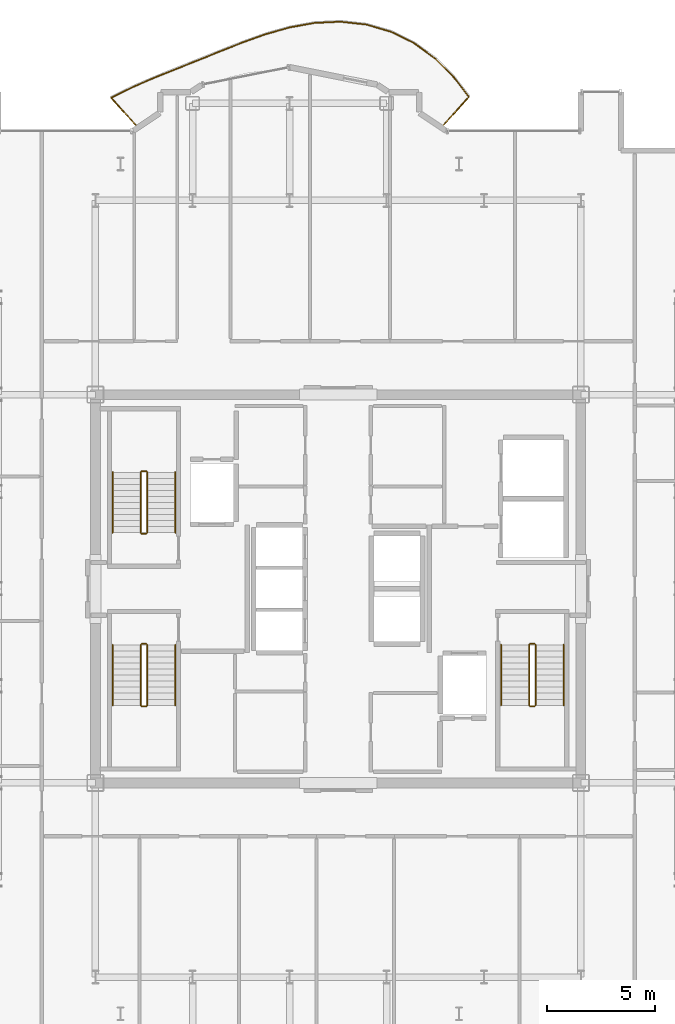
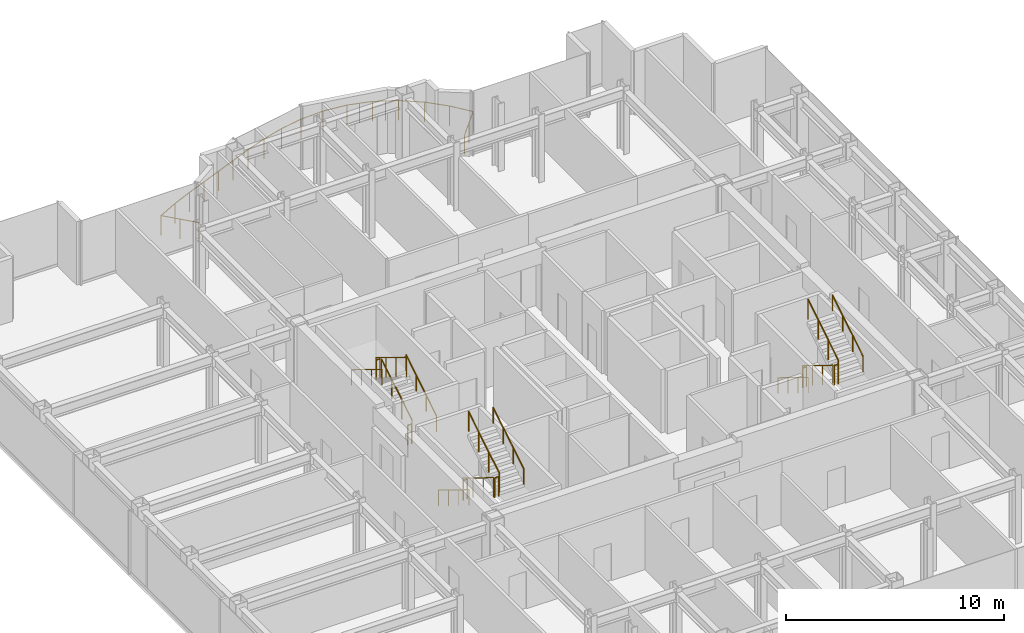
# One storey, part 18 of 18: 19 railings.
"""IFC4 building model written with IfcOpenShell, lengths in metres."""

from ifc_helpers import new_model, si_unit, direction, frame, origin, origin_2d, place, context, subcontext, project, spatial, circle, extrude, material, type_object, element, save


model = new_model("IFC4")

# Units and contexts
model_context = context("Model", 3, precision=1e-05, world=origin(), true_north=direction((0.0, 1.0)))
body_context = subcontext(model_context, "Body", "Model", "MODEL_VIEW")
ifc_project = project(units=[si_unit("LENGTHUNIT", "METRE"), si_unit("AREAUNIT", "SQUARE_METRE"), si_unit("VOLUMEUNIT", "CUBIC_METRE"), si_unit("PLANEANGLEUNIT", "RADIAN"), si_unit("MASSUNIT", "GRAM", prefix="KILO")], contexts=[model_context])

# Site, building, storey
site_placement = place(None, origin())
site = spatial("IfcSite", under=ifc_project, at=site_placement, CompositionType="ELEMENT")
building_placement = place(site_placement, origin())
building = spatial("IfcBuilding", under=site, at=building_placement, Name="Nefas-Gora Pilgrimage Tower", CompositionType="ELEMENT")
storey_placement = place(building_placement, frame((0.0, 0.0, 268.39990234375)))
storey = spatial("IfcBuildingStorey", under=building, at=storey_placement, Name="L67", CompositionType="ELEMENT", Elevation=268.39990234375)

# Railings
ifc_material_1 = material(Name="Laminated safety glass and stainless steel", Category="steel")
railing_type_1 = type_object("IfcRailingType", Name="RLG-BAL-1100", PredefinedType="BALUSTRADE", material=ifc_material_1)
railing_1_placement = place(storey_placement, frame((4.802490234375, 21.402587890625, 0.0)))
element("IfcRailing", 1, at=railing_1_placement, inside=storey, type_object=railing_type_1, Name="L67 Wave Balcony Balustrade N1", PredefinedType="BALUSTRADE", context=body_context, shape_type="SweptSolid", body=[
    extrude(circle(Radius=0.02392578125, at=origin_2d()), frame((0.0, 0.0, 1.09619140625), z_axis=(0.669129721026, 0.743145622634, 0.0), x_axis=(-0.743145622634, 0.669129721026, 0.0)), (0.0, 0.0, 1.0), 1.880126953125),
    extrude(circle(Radius=0.02392578125, at=origin_2d()), frame((1.258056640625, 1.397216796875, 1.09619140625), z_axis=(-0.611200063939, 0.791476141044, 0.0), x_axis=(-0.791476141044, -0.611200063939, 0.0)), (0.0, 0.0, 1.0), 1.179443359375),
    extrude(circle(Radius=0.02392578125, at=origin_2d()), frame((0.537109375, 2.330810546875, 1.09619140625), z_axis=(-0.707209030738, 0.707004516848, 0.0), x_axis=(-0.707004516848, -0.707209030738, 0.0)), (0.0, 0.0, 1.0), 1.19384765625),
    extrude(circle(Radius=0.02392578125, at=origin_2d()), frame((-0.30712890625, 3.1748046875, 1.09619140625), z_axis=(-0.807148617314, 0.590348295135, 0.0), x_axis=(-0.590348295135, -0.807148617314, 0.0)), (0.0, 0.0, 1.0), 1.19921875),
    extrude(circle(Radius=0.02392578125, at=origin_2d()), frame((-1.275146484375, 3.8828125, 1.09619140625), z_axis=(-0.896048232133, 0.443956716011, 0.0), x_axis=(-0.443956716011, -0.896048232133, 0.0)), (0.0, 0.0, 1.0), 1.200439453125),
    extrude(circle(Radius=0.02392578125, at=origin_2d()), frame((-2.350830078125, 4.415771484375, 1.09619140625), z_axis=(-0.960465578019, 0.278398766951, 0.0), x_axis=(-0.278398766951, -0.960465578019, 0.0)), (0.0, 0.0, 1.0), 1.200439453125),
    extrude(circle(Radius=0.02392578125, at=origin_2d()), frame((-3.50390625, 4.75, 1.09619140625), z_axis=(-0.994009663553, 0.109292217307, 0.0), x_axis=(-0.109292217307, -0.994009663553, 0.0)), (0.0, 0.0, 1.0), 1.199462890625),
    extrude(circle(Radius=0.02392578125, at=origin_2d()), frame((-4.6962890625, 4.881103515625, 1.09619140625), z_axis=(-0.998903921138, -0.046807652535, 0.0), x_axis=(0.046807652535, -0.998903921138, 0.0)), (0.0, 0.0, 1.0), 1.1943359375),
    extrude(circle(Radius=0.02392578125, at=origin_2d()), frame((-5.889404296875, 4.8251953125, 1.09619140625), z_axis=(-0.984273970402, -0.176648665973, 0.0), x_axis=(0.176648665973, -0.984273970402, 0.0)), (0.0, 0.0, 1.0), 1.181640625),
    extrude(circle(Radius=0.02392578125, at=origin_2d()), frame((-7.052490234375, 4.616455078125, 1.09619140625), z_axis=(-0.961722400744, -0.274025589875, 0.0), x_axis=(0.274025589875, -0.961722400744, 0.0)), (0.0, 0.0, 1.0), 1.1591796875),
    extrude(circle(Radius=0.02392578125, at=origin_2d()), frame((-8.167236328125, 4.298828125, 1.09619140625), z_axis=(-0.941629347278, -0.336651410726, 0.0), x_axis=(0.336651410726, -0.941629347278, 0.0)), (0.0, 0.0, 1.0), 1.129150390625),
    extrude(circle(Radius=0.02392578125, at=origin_2d()), frame((-9.23046875, 3.918701171875, 1.09619140625), z_axis=(-0.929909498538, -0.367788423592, 0.0), x_axis=(0.367788423592, -0.929909498538, 0.0)), (0.0, 0.0, 1.0), 1.099365234375),
    extrude(circle(Radius=0.02392578125, at=origin_2d()), frame((-10.252685546875, 3.514404296875, 1.09619140625), z_axis=(-0.927160236692, -0.374665044403, 0.0), x_axis=(0.374665044403, -0.927160236692, 0.0)), (0.0, 0.0, 1.0), 1.0791015625),
    extrude(circle(Radius=0.02392578125, at=origin_2d()), frame((-11.253173828125, 3.110107421875, 1.09619140625), z_axis=(-0.928883068163, -0.370373116844, 0.0), x_axis=(0.370373116844, -0.928883068163, 0.0)), (0.0, 0.0, 1.0), 1.07568359375),
    extrude(circle(Radius=0.02392578125, at=origin_2d()), frame((-12.25244140625, 2.711669921875, 1.09619140625), z_axis=(-0.928183190328, -0.372123588601, 0.0), x_axis=(0.372123588601, -0.928183190328, 0.0)), (0.0, 0.0, 1.0), 1.091064453125),
    extrude(circle(Radius=0.02392578125, at=origin_2d()), frame((-13.26513671875, 2.3056640625, 1.09619140625), z_axis=(-0.919111174096, -0.393998286356, 0.0), x_axis=(0.393998286356, -0.919111174096, 0.0)), (0.0, 0.0, 1.0), 1.119140625),
    extrude(circle(Radius=0.02392578125, at=origin_2d()), frame((-14.293701171875, 1.86474609375, 1.09619140625), z_axis=(-0.895992473093, -0.444069238026, 0.0), x_axis=(0.444069238026, -0.895992473093, 0.0)), (0.0, 0.0, 1.0), 1.150146484375),
    extrude(circle(Radius=0.02392578125, at=origin_2d()), frame((-15.32421875, 1.35400390625, 1.09619140625), z_axis=(0.669157184217, -0.743120893806, 0.0), x_axis=(0.743120893806, 0.669157184217, 0.0)), (0.0, 0.0, 1.0), 1.822021484375),
    extrude(circle(Radius=0.02099609375, at=origin_2d()), origin(), (0.0, 0.0, 1.0), 1.072021484375),
    extrude(circle(Radius=0.02099609375, at=origin_2d()), frame((0.62890625, 0.69873046875, 0.0)), (0.0, 0.0, 1.0), 1.072021484375),
    extrude(circle(Radius=0.02099609375, at=origin_2d()), frame((1.258056640625, 1.397216796875, 0.0)), (0.0, 0.0, 1.0), 1.072021484375),
    extrude(circle(Radius=0.02099609375, at=origin_2d()), frame((0.537109375, 2.330810546875, 0.0)), (0.0, 0.0, 1.0), 1.072021484375),
    extrude(circle(Radius=0.02099609375, at=origin_2d()), frame((-0.30712890625, 3.1748046875, 0.0)), (0.0, 0.0, 1.0), 1.072021484375),
    extrude(circle(Radius=0.02099609375, at=origin_2d()), frame((-1.275146484375, 3.8828125, 0.0)), (0.0, 0.0, 1.0), 1.072021484375),
    extrude(circle(Radius=0.02099609375, at=origin_2d()), frame((-1.81298828125, 4.1494140625, 0.0)), (0.0, 0.0, 1.0), 1.072021484375),
    extrude(circle(Radius=0.02099609375, at=origin_2d()), frame((-2.350830078125, 4.415771484375, 0.0)), (0.0, 0.0, 1.0), 1.072021484375),
    extrude(circle(Radius=0.02099609375, at=origin_2d()), frame((-2.92724609375, 4.5830078125, 0.0)), (0.0, 0.0, 1.0), 1.072021484375),
    extrude(circle(Radius=0.02099609375, at=origin_2d()), frame((-3.50390625, 4.75, 0.0)), (0.0, 0.0, 1.0), 1.072021484375),
    extrude(circle(Radius=0.02099609375, at=origin_2d()), frame((-4.6962890625, 4.881103515625, 0.0)), (0.0, 0.0, 1.0), 1.072021484375),
    extrude(circle(Radius=0.02099609375, at=origin_2d()), frame((-5.889404296875, 4.8251953125, 0.0)), (0.0, 0.0, 1.0), 1.072021484375),
    extrude(circle(Radius=0.02099609375, at=origin_2d()), frame((-7.052490234375, 4.616455078125, 0.0)), (0.0, 0.0, 1.0), 1.072021484375),
    extrude(circle(Radius=0.02099609375, at=origin_2d()), frame((-8.167236328125, 4.298828125, 0.0)), (0.0, 0.0, 1.0), 1.072021484375),
    extrude(circle(Radius=0.02099609375, at=origin_2d()), frame((-9.23046875, 3.918701171875, 0.0)), (0.0, 0.0, 1.0), 1.072021484375),
    extrude(circle(Radius=0.02099609375, at=origin_2d()), frame((-10.252685546875, 3.514404296875, 0.0)), (0.0, 0.0, 1.0), 1.072021484375),
    extrude(circle(Radius=0.02099609375, at=origin_2d()), frame((-11.253173828125, 3.110107421875, 0.0)), (0.0, 0.0, 1.0), 1.072021484375),
    extrude(circle(Radius=0.02099609375, at=origin_2d()), frame((-12.25244140625, 2.711669921875, 0.0)), (0.0, 0.0, 1.0), 1.072021484375),
    extrude(circle(Radius=0.02099609375, at=origin_2d()), frame((-13.26513671875, 2.3056640625, 0.0)), (0.0, 0.0, 1.0), 1.072021484375),
    extrude(circle(Radius=0.02099609375, at=origin_2d()), frame((-14.293701171875, 1.86474609375, 0.0)), (0.0, 0.0, 1.0), 1.072021484375),
    extrude(circle(Radius=0.02099609375, at=origin_2d()), frame((-15.32421875, 1.35400390625, 0.0)), (0.0, 0.0, 1.0), 1.072021484375),
    extrude(circle(Radius=0.02099609375, at=origin_2d()), frame((-14.714599609375, 0.677001953125, 0.0)), (0.0, 0.0, 1.0), 1.072021484375),
    extrude(circle(Radius=0.02099609375, at=origin_2d()), frame((-14.10498046875, 0.0, 0.0)), (0.0, 0.0, 1.0), 1.072021484375),
])
ifc_material_2 = material(Name="Painted galvanised steel", Category="steel")
railing_type_2 = type_object("IfcRailingType", Name="RLG-STR-GUARD-1100", PredefinedType="GUARDRAIL", material=ifc_material_2)
railing_2_placement = place(storey_placement, frame((-8.85009765625, 2.60009765625, 0.1728515625)))
element("IfcRailing", 2, at=railing_2_placement, inside=storey, type_object=railing_type_2, Name="L67 ST-01 stair guard 1", PredefinedType="GUARDRAIL", context=body_context, shape_type="SweptSolid", body=[
    extrude(circle(Radius=0.02392578125, at=origin_2d()), frame((0.0, 0.0, 1.09619140625), z_axis=(0.0, 0.851069175582, 0.525053576669), x_axis=(-1.0, 0.0, 0.0)), (0.0, 0.0, 1.0), 3.289794921875),
    extrude(circle(Radius=0.02099609375, at=origin_2d()), origin(), (0.0, 0.0, 1.0), 1.072021484375),
    extrude(circle(Radius=0.02099609375, at=origin_2d()), frame((0.0, 0.933349609375, 0.57568359375)), (0.0, 0.0, 1.0), 1.072021484375),
    extrude(circle(Radius=0.02099609375, at=origin_2d()), frame((0.0, 1.866455078125, 1.151611328125)), (0.0, 0.0, 1.0), 1.072021484375),
    extrude(circle(Radius=0.02099609375, at=origin_2d()), frame((0.0, 2.7998046875, 1.727294921875)), (0.0, 0.0, 1.0), 1.072021484375),
])
railing_3_placement = place(storey_placement, frame((-8.89990234375, 5.449951171875, 1.900146484375)))
element("IfcRailing", 3, at=railing_3_placement, inside=storey, type_object=railing_type_2, Name="L67 ST-01 stair guard 2", PredefinedType="GUARDRAIL", context=body_context, shape_type="SweptSolid", body=[
    extrude(circle(Radius=0.02392578125, at=origin_2d()), frame((0.0, 0.0, 1.09619140625), z_axis=(-1.0, 0.0, 0.0), x_axis=(0.0, -1.0, 0.0)), (0.0, 0.0, 1.0), 0.2001953125),
    extrude(circle(Radius=0.02099609375, at=origin_2d()), origin(), (0.0, 0.0, 1.0), 1.072021484375),
    extrude(circle(Radius=0.02099609375, at=origin_2d()), frame((-0.2001953125, 0.0, 0.0)), (0.0, 0.0, 1.0), 1.072021484375),
])
railing_4_placement = place(storey_placement, frame((-9.14990234375, 5.39990234375, 2.07275390625)))
element("IfcRailing", 4, at=railing_4_placement, inside=storey, type_object=railing_type_2, Name="L67 ST-01 stair guard 3", PredefinedType="GUARDRAIL", context=body_context, shape_type="SweptSolid", body=[
    extrude(circle(Radius=0.02392578125, at=origin_2d()), frame((0.0, 0.0, 1.09619140625), z_axis=(0.0, -0.851069175582, 0.525053576669), x_axis=(1.0, 0.0, 0.0)), (0.0, 0.0, 1.0), 3.289794921875),
    extrude(circle(Radius=0.02099609375, at=origin_2d()), origin(), (0.0, 0.0, 1.0), 1.072021484375),
    extrude(circle(Radius=0.02099609375, at=origin_2d()), frame((0.0, -0.933349609375, 0.57568359375)), (0.0, 0.0, 1.0), 1.072021484375),
    extrude(circle(Radius=0.02099609375, at=origin_2d()), frame((0.0, -1.866455078125, 1.151611328125)), (0.0, 0.0, 1.0), 1.072021484375),
    extrude(circle(Radius=0.02099609375, at=origin_2d()), frame((0.0, -2.7998046875, 1.727294921875)), (0.0, 0.0, 1.0), 1.072021484375),
])
railing_5_placement = place(storey_placement, frame((-8.89990234375, 2.550048828125, 0.0)))
element("IfcRailing", 5, at=railing_5_placement, inside=storey, type_object=railing_type_2, Name="L67 ST-01 stair guard 4", PredefinedType="GUARDRAIL", context=body_context, shape_type="SweptSolid", body=[
    extrude(circle(Radius=0.02392578125, at=origin_2d()), frame((0.0, 0.0, 1.09619140625), z_axis=(-1.0, 0.0, 0.0), x_axis=(0.0, -1.0, 0.0)), (0.0, 0.0, 1.0), 0.2001953125),
    extrude(circle(Radius=0.02099609375, at=origin_2d()), origin(), (0.0, 0.0, 1.0), 1.072021484375),
    extrude(circle(Radius=0.02099609375, at=origin_2d()), frame((-0.2001953125, 0.0, 0.0)), (0.0, 0.0, 1.0), 1.072021484375),
])
railing_6_placement = place(storey_placement, frame((8.85009765625, -2.60009765625, 0.1728515625)))
element("IfcRailing", 6, at=railing_6_placement, inside=storey, type_object=railing_type_2, Name="L67 ST-02 stair guard 1", PredefinedType="GUARDRAIL", context=body_context, shape_type="SweptSolid", body=[
    extrude(circle(Radius=0.02392578125, at=origin_2d()), frame((0.0, 0.0, 1.09619140625), z_axis=(0.0, -0.851069175582, 0.525053576669), x_axis=(1.0, 0.0, 0.0)), (0.0, 0.0, 1.0), 3.289794921875),
    extrude(circle(Radius=0.02099609375, at=origin_2d()), origin(), (0.0, 0.0, 1.0), 1.072021484375),
    extrude(circle(Radius=0.02099609375, at=origin_2d()), frame((0.0, -0.933349609375, 0.57568359375)), (0.0, 0.0, 1.0), 1.072021484375),
    extrude(circle(Radius=0.02099609375, at=origin_2d()), frame((0.0, -1.866455078125, 1.151611328125)), (0.0, 0.0, 1.0), 1.072021484375),
    extrude(circle(Radius=0.02099609375, at=origin_2d()), frame((0.0, -2.7998046875, 1.727294921875)), (0.0, 0.0, 1.0), 1.072021484375),
])
railing_7_placement = place(storey_placement, frame((8.89990234375, -5.449951171875, 1.900146484375)))
element("IfcRailing", 7, at=railing_7_placement, inside=storey, type_object=railing_type_2, Name="L67 ST-02 stair guard 2", PredefinedType="GUARDRAIL", context=body_context, shape_type="SweptSolid", body=[
    extrude(circle(Radius=0.02392578125, at=origin_2d()), frame((0.0, 0.0, 1.09619140625), z_axis=(1.0, 0.0, 0.0), x_axis=(0.0, 1.0, 0.0)), (0.0, 0.0, 1.0), 0.2001953125),
    extrude(circle(Radius=0.02099609375, at=origin_2d()), origin(), (0.0, 0.0, 1.0), 1.072021484375),
    extrude(circle(Radius=0.02099609375, at=origin_2d()), frame((0.2001953125, 0.0, 0.0)), (0.0, 0.0, 1.0), 1.072021484375),
])
railing_8_placement = place(storey_placement, frame((9.14990234375, -5.39990234375, 2.07275390625)))
element("IfcRailing", 8, at=railing_8_placement, inside=storey, type_object=railing_type_2, Name="L67 ST-02 stair guard 3", PredefinedType="GUARDRAIL", context=body_context, shape_type="SweptSolid", body=[
    extrude(circle(Radius=0.02392578125, at=origin_2d()), frame((0.0, 0.0, 1.09619140625), z_axis=(0.0, 0.851069175582, 0.525053576669), x_axis=(-1.0, 0.0, 0.0)), (0.0, 0.0, 1.0), 3.289794921875),
    extrude(circle(Radius=0.02099609375, at=origin_2d()), origin(), (0.0, 0.0, 1.0), 1.072021484375),
    extrude(circle(Radius=0.02099609375, at=origin_2d()), frame((0.0, 0.933349609375, 0.57568359375)), (0.0, 0.0, 1.0), 1.072021484375),
    extrude(circle(Radius=0.02099609375, at=origin_2d()), frame((0.0, 1.866455078125, 1.151611328125)), (0.0, 0.0, 1.0), 1.072021484375),
    extrude(circle(Radius=0.02099609375, at=origin_2d()), frame((0.0, 2.7998046875, 1.727294921875)), (0.0, 0.0, 1.0), 1.072021484375),
])
railing_9_placement = place(storey_placement, frame((8.89990234375, -2.550048828125, 0.0)))
element("IfcRailing", 9, at=railing_9_placement, inside=storey, type_object=railing_type_2, Name="L67 ST-02 stair guard 4", PredefinedType="GUARDRAIL", context=body_context, shape_type="SweptSolid", body=[
    extrude(circle(Radius=0.02392578125, at=origin_2d()), frame((0.0, 0.0, 1.09619140625), z_axis=(1.0, 0.0, 0.0), x_axis=(0.0, 1.0, 0.0)), (0.0, 0.0, 1.0), 0.2001953125),
    extrude(circle(Radius=0.02099609375, at=origin_2d()), origin(), (0.0, 0.0, 1.0), 1.072021484375),
    extrude(circle(Radius=0.02099609375, at=origin_2d()), frame((0.2001953125, 0.0, 0.0)), (0.0, 0.0, 1.0), 1.072021484375),
])
railing_10_placement = place(storey_placement, frame((-9.14990234375, -2.60009765625, 0.1728515625)))
element("IfcRailing", 10, at=railing_10_placement, inside=storey, type_object=railing_type_2, Name="L67 ST-03 stair guard 1", PredefinedType="GUARDRAIL", context=body_context, shape_type="SweptSolid", body=[
    extrude(circle(Radius=0.02392578125, at=origin_2d()), frame((0.0, 0.0, 1.09619140625), z_axis=(0.0, -0.851069175582, 0.525053576669), x_axis=(1.0, 0.0, 0.0)), (0.0, 0.0, 1.0), 3.289794921875),
    extrude(circle(Radius=0.02099609375, at=origin_2d()), origin(), (0.0, 0.0, 1.0), 1.072021484375),
    extrude(circle(Radius=0.02099609375, at=origin_2d()), frame((0.0, -0.933349609375, 0.57568359375)), (0.0, 0.0, 1.0), 1.072021484375),
    extrude(circle(Radius=0.02099609375, at=origin_2d()), frame((0.0, -1.866455078125, 1.151611328125)), (0.0, 0.0, 1.0), 1.072021484375),
    extrude(circle(Radius=0.02099609375, at=origin_2d()), frame((0.0, -2.7998046875, 1.727294921875)), (0.0, 0.0, 1.0), 1.072021484375),
])
railing_11_placement = place(storey_placement, frame((-9.10009765625, -5.449951171875, 1.900146484375)))
element("IfcRailing", 11, at=railing_11_placement, inside=storey, type_object=railing_type_2, Name="L67 ST-03 stair guard 2", PredefinedType="GUARDRAIL", context=body_context, shape_type="SweptSolid", body=[
    extrude(circle(Radius=0.02392578125, at=origin_2d()), frame((0.0, 0.0, 1.09619140625), z_axis=(1.0, 0.0, 0.0), x_axis=(0.0, 1.0, 0.0)), (0.0, 0.0, 1.0), 0.2001953125),
    extrude(circle(Radius=0.02099609375, at=origin_2d()), origin(), (0.0, 0.0, 1.0), 1.072021484375),
    extrude(circle(Radius=0.02099609375, at=origin_2d()), frame((0.2001953125, 0.0, 0.0)), (0.0, 0.0, 1.0), 1.072021484375),
])
railing_12_placement = place(storey_placement, frame((-8.85009765625, -5.39990234375, 2.07275390625)))
element("IfcRailing", 12, at=railing_12_placement, inside=storey, type_object=railing_type_2, Name="L67 ST-03 stair guard 3", PredefinedType="GUARDRAIL", context=body_context, shape_type="SweptSolid", body=[
    extrude(circle(Radius=0.02392578125, at=origin_2d()), frame((0.0, 0.0, 1.09619140625), z_axis=(0.0, 0.851069175582, 0.525053576669), x_axis=(-1.0, 0.0, 0.0)), (0.0, 0.0, 1.0), 3.289794921875),
    extrude(circle(Radius=0.02099609375, at=origin_2d()), origin(), (0.0, 0.0, 1.0), 1.072021484375),
    extrude(circle(Radius=0.02099609375, at=origin_2d()), frame((0.0, 0.933349609375, 0.57568359375)), (0.0, 0.0, 1.0), 1.072021484375),
    extrude(circle(Radius=0.02099609375, at=origin_2d()), frame((0.0, 1.866455078125, 1.151611328125)), (0.0, 0.0, 1.0), 1.072021484375),
    extrude(circle(Radius=0.02099609375, at=origin_2d()), frame((0.0, 2.7998046875, 1.727294921875)), (0.0, 0.0, 1.0), 1.072021484375),
])
railing_13_placement = place(storey_placement, frame((-9.10009765625, -2.550048828125, 0.0)))
element("IfcRailing", 13, at=railing_13_placement, inside=storey, type_object=railing_type_2, Name="L67 ST-03 stair guard 4", PredefinedType="GUARDRAIL", context=body_context, shape_type="SweptSolid", body=[
    extrude(circle(Radius=0.02392578125, at=origin_2d()), frame((0.0, 0.0, 1.09619140625), z_axis=(1.0, 0.0, 0.0), x_axis=(0.0, 1.0, 0.0)), (0.0, 0.0, 1.0), 0.2001953125),
    extrude(circle(Radius=0.02099609375, at=origin_2d()), origin(), (0.0, 0.0, 1.0), 1.072021484375),
    extrude(circle(Radius=0.02099609375, at=origin_2d()), frame((0.2001953125, 0.0, 0.0)), (0.0, 0.0, 1.0), 1.072021484375),
])
ifc_material_3 = material(Name="Brushed stainless steel", Category="steel")
railing_type_3 = type_object("IfcRailingType", Name="RLG-STR-HAND-900", PredefinedType="HANDRAIL", material=ifc_material_3)
railing_14_placement = place(storey_placement, frame((-7.550048828125, 2.60009765625, 0.1728515625)))
element("IfcRailing", 14, at=railing_14_placement, inside=storey, type_object=railing_type_3, Name="L67 ST-01 stair handrail 1", PredefinedType="HANDRAIL", context=body_context, shape_type="SweptSolid", body=[
    extrude(circle(Radius=0.02392578125, at=origin_2d()), frame((0.0, 0.0, 0.8759765625), z_axis=(0.0, 0.851069175582, 0.525053576669), x_axis=(-1.0, 0.0, 0.0)), (0.0, 0.0, 1.0), 3.289794921875),
    extrude(circle(Radius=0.02099609375, at=origin_2d()), origin(), (0.0, 0.0, 1.0), 0.851806640625),
    extrude(circle(Radius=0.02099609375, at=origin_2d()), frame((0.0, 0.933349609375, 0.57568359375)), (0.0, 0.0, 1.0), 0.851806640625),
    extrude(circle(Radius=0.02099609375, at=origin_2d()), frame((0.0, 1.866455078125, 1.151611328125)), (0.0, 0.0, 1.0), 0.851806640625),
    extrude(circle(Radius=0.02099609375, at=origin_2d()), frame((0.0, 2.7998046875, 1.727294921875)), (0.0, 0.0, 1.0), 0.851806640625),
])
for number, where, name in (
    (15, (-10.449951171875, 5.39990234375, 2.07275390625), "L67 ST-01 stair handrail 2"),
    (16, (7.550048828125, -2.60009765625, 0.1728515625), "L67 ST-02 stair handrail 1"),
):
    element("IfcRailing", number, at=place(storey_placement, frame(where)), inside=storey, type_object=railing_type_3, Name=name, PredefinedType="HANDRAIL", context=body_context, shape_type="SweptSolid", body=[
        extrude(circle(Radius=0.02392578125, at=origin_2d()), frame((0.0, 0.0, 0.8759765625), z_axis=(0.0, -0.851069175582, 0.525053576669), x_axis=(1.0, 0.0, 0.0)), (0.0, 0.0, 1.0), 3.289794921875),
        extrude(circle(Radius=0.02099609375, at=origin_2d()), origin(), (0.0, 0.0, 1.0), 0.851806640625),
        extrude(circle(Radius=0.02099609375, at=origin_2d()), frame((0.0, -0.933349609375, 0.57568359375)), (0.0, 0.0, 1.0), 0.851806640625),
        extrude(circle(Radius=0.02099609375, at=origin_2d()), frame((0.0, -1.866455078125, 1.151611328125)), (0.0, 0.0, 1.0), 0.851806640625),
        extrude(circle(Radius=0.02099609375, at=origin_2d()), frame((0.0, -2.7998046875, 1.727294921875)), (0.0, 0.0, 1.0), 0.851806640625),
    ])
railing_15_placement = place(storey_placement, frame((10.449951171875, -5.39990234375, 2.07275390625)))
element("IfcRailing", 17, at=railing_15_placement, inside=storey, type_object=railing_type_3, Name="L67 ST-02 stair handrail 2", PredefinedType="HANDRAIL", context=body_context, shape_type="SweptSolid", body=[
    extrude(circle(Radius=0.02392578125, at=origin_2d()), frame((0.0, 0.0, 0.8759765625), z_axis=(0.0, 0.851069175582, 0.525053576669), x_axis=(-1.0, 0.0, 0.0)), (0.0, 0.0, 1.0), 3.289794921875),
    extrude(circle(Radius=0.02099609375, at=origin_2d()), origin(), (0.0, 0.0, 1.0), 0.851806640625),
    extrude(circle(Radius=0.02099609375, at=origin_2d()), frame((0.0, 0.933349609375, 0.57568359375)), (0.0, 0.0, 1.0), 0.851806640625),
    extrude(circle(Radius=0.02099609375, at=origin_2d()), frame((0.0, 1.866455078125, 1.151611328125)), (0.0, 0.0, 1.0), 0.851806640625),
    extrude(circle(Radius=0.02099609375, at=origin_2d()), frame((0.0, 2.7998046875, 1.727294921875)), (0.0, 0.0, 1.0), 0.851806640625),
])
railing_16_placement = place(storey_placement, frame((-10.449951171875, -2.60009765625, 0.1728515625)))
element("IfcRailing", 18, at=railing_16_placement, inside=storey, type_object=railing_type_3, Name="L67 ST-03 stair handrail 1", PredefinedType="HANDRAIL", context=body_context, shape_type="SweptSolid", body=[
    extrude(circle(Radius=0.02392578125, at=origin_2d()), frame((0.0, 0.0, 0.8759765625), z_axis=(0.0, -0.851069175582, 0.525053576669), x_axis=(1.0, 0.0, 0.0)), (0.0, 0.0, 1.0), 3.289794921875),
    extrude(circle(Radius=0.02099609375, at=origin_2d()), origin(), (0.0, 0.0, 1.0), 0.851806640625),
    extrude(circle(Radius=0.02099609375, at=origin_2d()), frame((0.0, -0.933349609375, 0.57568359375)), (0.0, 0.0, 1.0), 0.851806640625),
    extrude(circle(Radius=0.02099609375, at=origin_2d()), frame((0.0, -1.866455078125, 1.151611328125)), (0.0, 0.0, 1.0), 0.851806640625),
    extrude(circle(Radius=0.02099609375, at=origin_2d()), frame((0.0, -2.7998046875, 1.727294921875)), (0.0, 0.0, 1.0), 0.851806640625),
])
railing_17_placement = place(storey_placement, frame((-7.550048828125, -5.39990234375, 2.07275390625)))
element("IfcRailing", 19, at=railing_17_placement, inside=storey, type_object=railing_type_3, Name="L67 ST-03 stair handrail 2", PredefinedType="HANDRAIL", context=body_context, shape_type="SweptSolid", body=[
    extrude(circle(Radius=0.02392578125, at=origin_2d()), frame((0.0, 0.0, 0.8759765625), z_axis=(0.0, 0.851069175582, 0.525053576669), x_axis=(-1.0, 0.0, 0.0)), (0.0, 0.0, 1.0), 3.289794921875),
    extrude(circle(Radius=0.02099609375, at=origin_2d()), origin(), (0.0, 0.0, 1.0), 0.851806640625),
    extrude(circle(Radius=0.02099609375, at=origin_2d()), frame((0.0, 0.933349609375, 0.57568359375)), (0.0, 0.0, 1.0), 0.851806640625),
    extrude(circle(Radius=0.02099609375, at=origin_2d()), frame((0.0, 1.866455078125, 1.151611328125)), (0.0, 0.0, 1.0), 0.851806640625),
    extrude(circle(Radius=0.02099609375, at=origin_2d()), frame((0.0, 2.7998046875, 1.727294921875)), (0.0, 0.0, 1.0), 0.851806640625),
])

save(model, "model.ifc")
